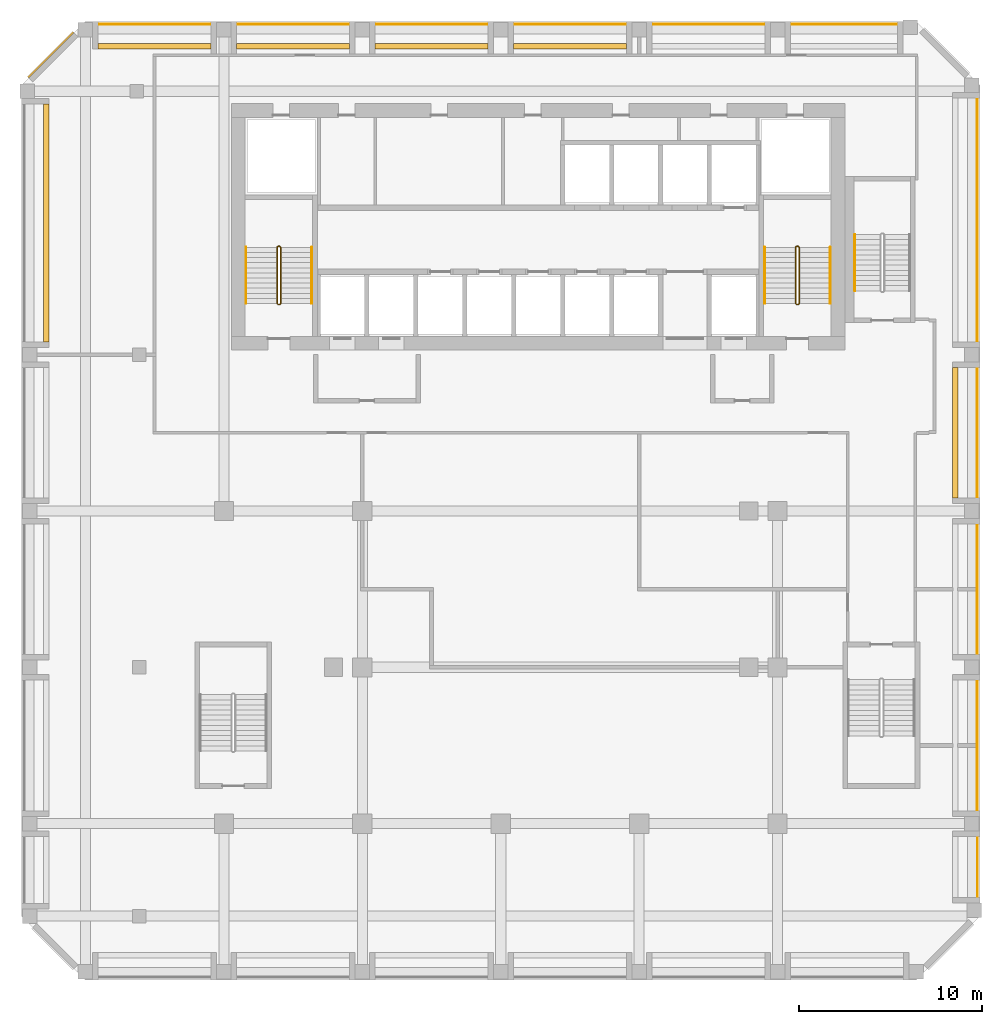
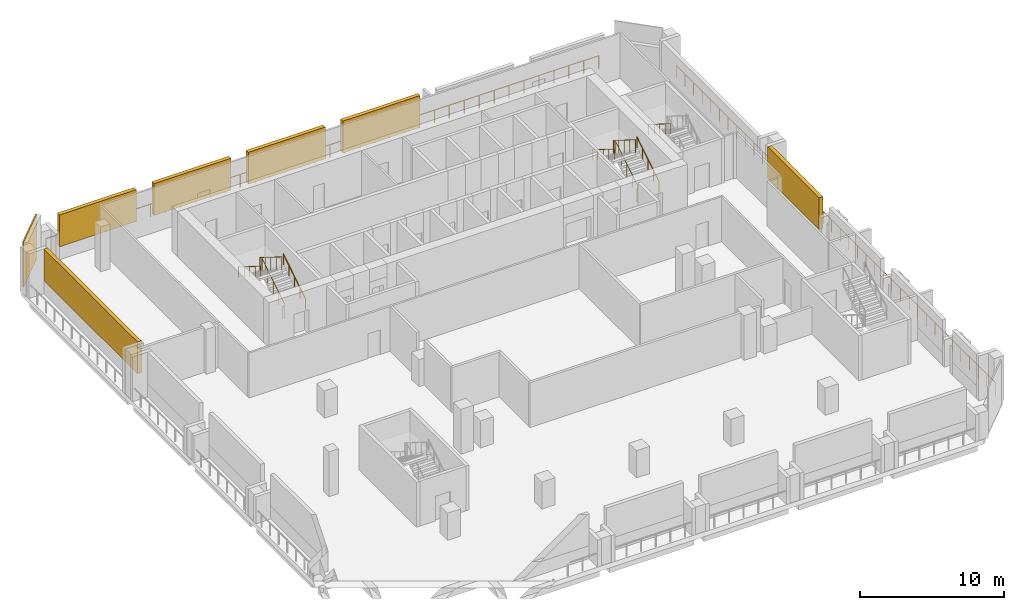
# One storey, part 8 of 9: 9 railings, 7 shading devices.
"""IFC4 building model written with IfcOpenShell, lengths in metres."""

from ifc_helpers import new_model, si_unit, direction, frame, origin, origin_2d, place, context, subcontext, project, spatial, rectangle, circle, extrude, source, transform, mapped, material, layer, layer_set, type_object, element, save


model = new_model("IFC4")

# Units and contexts
model_context = context("Model", 3, precision=1e-05, world=origin(), true_north=direction((0.0, 1.0)))
body_context = subcontext(model_context, "Body", "Model", "MODEL_VIEW")
ifc_project = project(units=[si_unit("LENGTHUNIT", "METRE"), si_unit("AREAUNIT", "SQUARE_METRE"), si_unit("VOLUMEUNIT", "CUBIC_METRE"), si_unit("PLANEANGLEUNIT", "RADIAN"), si_unit("MASSUNIT", "GRAM", prefix="KILO")], contexts=[model_context])

# Site, building, storey
site_placement = place(None, origin())
site = spatial("IfcSite", under=ifc_project, at=site_placement, CompositionType="ELEMENT")
building_placement = place(site_placement, origin())
building = spatial("IfcBuilding", under=site, at=building_placement, Name="Kilnfold Tower and Market Hall", CompositionType="ELEMENT")
storey_placement = place(building_placement, frame((0.0, 0.0, 195.699951171875)))
storey = spatial("IfcBuildingStorey", under=building, at=storey_placement, Name="L47 Plant Transfer Level", CompositionType="ELEMENT", Elevation=195.699951171875)

# Railings
ifc_material_1 = material(Name="Stainless steel 316", Category="steel")
railing_type_1 = type_object("IfcRailingType", Name="CORE STAIR GUARD 1100", PredefinedType="GUARDRAIL", material=ifc_material_1)
railing_1_placement = place(storey_placement, frame((-13.199951171875, 10.75, 0.0)))
element("IfcRailing", 1, at=railing_1_placement, inside=storey, type_object=railing_type_1, Name="L47 Plant Transfer Level ST1 stair guard 1", PredefinedType="GUARDRAIL", context=body_context, shape_type="SweptSolid", body=[
    extrude(circle(Radius=0.02392578125, at=origin_2d()), frame((0.0, 0.0, 1.076171875), z_axis=(1.0, 0.0, 0.0), x_axis=(0.0, 1.0, 0.0)), (0.0, 0.0, 1.0), 0.099853515625),
    extrude(circle(Radius=0.02392578125, at=origin_2d()), frame((0.099853515625, 0.0, 1.076171875), z_axis=(0.265065253269, 0.265065253269, 0.927081885822), x_axis=(-0.707106781187, 0.707106781187, 0.0)), (0.0, 0.0, 1.0), 0.188720703125),
    extrude(circle(Radius=0.02392578125, at=origin_2d()), frame((0.14990234375, 0.050048828125, 1.2509765625), z_axis=(0.0, 0.847979421464, 0.530029150871), x_axis=(-1.0, 0.0, 0.0)), (0.0, 0.0, 1.0), 3.632080078125),
    extrude(circle(Radius=0.02392578125, at=origin_2d()), frame((0.14990234375, 3.1298828125, 3.17626953125), z_axis=(-0.707106781187, 0.707106781187, 0.0), x_axis=(-0.707106781187, -0.707106781187, 0.0)), (0.0, 0.0, 1.0), 0.07080078125),
    extrude(circle(Radius=0.02392578125, at=origin_2d()), frame((0.099853515625, 3.179931640625, 3.17626953125), z_axis=(-1.0, 0.0, 0.0), x_axis=(0.0, -1.0, 0.0)), (0.0, 0.0, 1.0), 0.099853515625),
    extrude(circle(Radius=0.02392578125, at=origin_2d()), frame((0.0, 3.179931640625, 3.17626953125), z_axis=(-0.265065253269, -0.265065253269, 0.927081885822), x_axis=(0.707106781187, -0.707106781187, 0.0)), (0.0, 0.0, 1.0), 0.188720703125),
    extrude(circle(Radius=0.02392578125, at=origin_2d()), frame((-0.050048828125, 3.1298828125, 3.35107421875), z_axis=(0.0, -0.848009633417, 0.529980812513), x_axis=(1.0, 0.0, 0.0)), (0.0, 0.0, 1.0), 3.6318359375),
    extrude(circle(Radius=0.02099609375, at=origin_2d()), origin(), (0.0, 0.0, 1.0), 1.052001953125),
    extrude(circle(Radius=0.02099609375, at=origin_2d()), frame((0.099853515625, 0.0, 0.0)), (0.0, 0.0, 1.0), 1.052001953125),
    extrude(circle(Radius=0.02099609375, at=origin_2d()), frame((0.14990234375, 0.050048828125, 0.175048828125)), (0.0, 0.0, 1.0), 1.052001953125),
    extrude(circle(Radius=0.02099609375, at=origin_2d()), frame((0.14990234375, 0.820068359375, 0.65625)), (0.0, 0.0, 1.0), 1.052001953125),
    extrude(circle(Radius=0.02099609375, at=origin_2d()), frame((0.14990234375, 1.58984375, 1.1376953125)), (0.0, 0.0, 1.0), 1.052001953125),
    extrude(circle(Radius=0.02099609375, at=origin_2d()), frame((0.14990234375, 2.35986328125, 1.618896484375)), (0.0, 0.0, 1.0), 1.052001953125),
    extrude(circle(Radius=0.02099609375, at=origin_2d()), frame((0.14990234375, 3.1298828125, 2.10009765625)), (0.0, 0.0, 1.0), 1.052001953125),
    extrude(circle(Radius=0.02099609375, at=origin_2d()), frame((0.099853515625, 3.179931640625, 2.10009765625)), (0.0, 0.0, 1.0), 1.052001953125),
    extrude(circle(Radius=0.02099609375, at=origin_2d()), frame((0.0, 3.179931640625, 2.10009765625)), (0.0, 0.0, 1.0), 1.052001953125),
    extrude(circle(Radius=0.02099609375, at=origin_2d()), frame((-0.050048828125, 3.1298828125, 2.275146484375)), (0.0, 0.0, 1.0), 1.052001953125),
    extrude(circle(Radius=0.02099609375, at=origin_2d()), frame((-0.050048828125, 2.35986328125, 2.75634765625)), (0.0, 0.0, 1.0), 1.052001953125),
    extrude(circle(Radius=0.02099609375, at=origin_2d()), frame((-0.050048828125, 1.58984375, 3.237548828125)), (0.0, 0.0, 1.0), 1.052001953125),
    extrude(circle(Radius=0.02099609375, at=origin_2d()), frame((-0.050048828125, 0.820068359375, 3.71875)), (0.0, 0.0, 1.0), 1.052001953125),
    extrude(circle(Radius=0.02099609375, at=origin_2d()), frame((-0.050048828125, 0.050048828125, 4.199951171875)), (0.0, 0.0, 1.0), 1.052001953125),
])
railing_2_placement = place(storey_placement, frame((15.199951171875, 10.75, 0.0)))
element("IfcRailing", 2, at=railing_2_placement, inside=storey, type_object=railing_type_1, Name="L47 Plant Transfer Level ST2 stair guard 1", PredefinedType="GUARDRAIL", context=body_context, shape_type="SweptSolid", body=[
    extrude(circle(Radius=0.02392578125, at=origin_2d()), frame((0.0, 0.0, 1.076171875), z_axis=(1.0, 0.0, 0.0), x_axis=(0.0, 1.0, 0.0)), (0.0, 0.0, 1.0), 0.10009765625),
    extrude(circle(Radius=0.02392578125, at=origin_2d()), frame((0.10009765625, 0.0, 1.076171875), z_axis=(0.265065253269, 0.265065253269, 0.927081885822), x_axis=(-0.707106781187, 0.707106781187, 0.0)), (0.0, 0.0, 1.0), 0.188720703125),
    extrude(circle(Radius=0.02392578125, at=origin_2d()), frame((0.150146484375, 0.050048828125, 1.2509765625), z_axis=(0.0, 0.847979421464, 0.530029150871), x_axis=(-1.0, 0.0, 0.0)), (0.0, 0.0, 1.0), 3.632080078125),
    extrude(circle(Radius=0.02392578125, at=origin_2d()), frame((0.150146484375, 3.1298828125, 3.17626953125), z_axis=(-0.707106781187, 0.707106781187, 0.0), x_axis=(-0.707106781187, -0.707106781187, 0.0)), (0.0, 0.0, 1.0), 0.07080078125),
    extrude(circle(Radius=0.02392578125, at=origin_2d()), frame((0.10009765625, 3.179931640625, 3.17626953125), z_axis=(-1.0, 0.0, 0.0), x_axis=(0.0, -1.0, 0.0)), (0.0, 0.0, 1.0), 0.10009765625),
    extrude(circle(Radius=0.02392578125, at=origin_2d()), frame((0.0, 3.179931640625, 3.17626953125), z_axis=(-0.265065253269, -0.265065253269, 0.927081885822), x_axis=(0.707106781187, -0.707106781187, 0.0)), (0.0, 0.0, 1.0), 0.188720703125),
    extrude(circle(Radius=0.02392578125, at=origin_2d()), frame((-0.050048828125, 3.1298828125, 3.35107421875), z_axis=(0.0, -0.848009633417, 0.529980812513), x_axis=(1.0, 0.0, 0.0)), (0.0, 0.0, 1.0), 3.6318359375),
    extrude(circle(Radius=0.02099609375, at=origin_2d()), origin(), (0.0, 0.0, 1.0), 1.052001953125),
    extrude(circle(Radius=0.02099609375, at=origin_2d()), frame((0.10009765625, 0.0, 0.0)), (0.0, 0.0, 1.0), 1.052001953125),
    extrude(circle(Radius=0.02099609375, at=origin_2d()), frame((0.150146484375, 0.050048828125, 0.175048828125)), (0.0, 0.0, 1.0), 1.052001953125),
    extrude(circle(Radius=0.02099609375, at=origin_2d()), frame((0.150146484375, 0.820068359375, 0.65625)), (0.0, 0.0, 1.0), 1.052001953125),
    extrude(circle(Radius=0.02099609375, at=origin_2d()), frame((0.150146484375, 1.58984375, 1.1376953125)), (0.0, 0.0, 1.0), 1.052001953125),
    extrude(circle(Radius=0.02099609375, at=origin_2d()), frame((0.150146484375, 2.35986328125, 1.618896484375)), (0.0, 0.0, 1.0), 1.052001953125),
    extrude(circle(Radius=0.02099609375, at=origin_2d()), frame((0.150146484375, 3.1298828125, 2.10009765625)), (0.0, 0.0, 1.0), 1.052001953125),
    extrude(circle(Radius=0.02099609375, at=origin_2d()), frame((0.10009765625, 3.179931640625, 2.10009765625)), (0.0, 0.0, 1.0), 1.052001953125),
    extrude(circle(Radius=0.02099609375, at=origin_2d()), frame((0.0, 3.179931640625, 2.10009765625)), (0.0, 0.0, 1.0), 1.052001953125),
    extrude(circle(Radius=0.02099609375, at=origin_2d()), frame((-0.050048828125, 3.1298828125, 2.275146484375)), (0.0, 0.0, 1.0), 1.052001953125),
    extrude(circle(Radius=0.02099609375, at=origin_2d()), frame((-0.050048828125, 2.35986328125, 2.75634765625)), (0.0, 0.0, 1.0), 1.052001953125),
    extrude(circle(Radius=0.02099609375, at=origin_2d()), frame((-0.050048828125, 1.58984375, 3.237548828125)), (0.0, 0.0, 1.0), 1.052001953125),
    extrude(circle(Radius=0.02099609375, at=origin_2d()), frame((-0.050048828125, 0.820068359375, 3.71875)), (0.0, 0.0, 1.0), 1.052001953125),
    extrude(circle(Radius=0.02099609375, at=origin_2d()), frame((-0.050048828125, 0.050048828125, 4.199951171875)), (0.0, 0.0, 1.0), 1.052001953125),
])
ifc_material_2 = material(Name="Stainless steel 316", Category="steel")
railing_type_2 = type_object("IfcRailingType", Name="CORE STAIR HANDRAIL 900", PredefinedType="HANDRAIL", material=ifc_material_2)
railing_3_placement = place(storey_placement, frame((-11.35009765625, 10.800048828125, 0.175048828125)))
element("IfcRailing", 3, at=railing_3_placement, inside=storey, type_object=railing_type_2, Name="L47 Plant Transfer Level ST1 stair handrail 1", PredefinedType="HANDRAIL", context=body_context, shape_type="SweptSolid", body=[
    extrude(circle(Radius=0.02392578125, at=origin_2d()), frame((0.0, 0.0, 0.8759765625), z_axis=(0.0, 0.847979421464, 0.530029150871), x_axis=(-1.0, 0.0, 0.0)), (0.0, 0.0, 1.0), 3.632080078125),
    extrude(circle(Radius=0.02099609375, at=origin_2d()), origin(), (0.0, 0.0, 1.0), 0.851806640625),
    extrude(circle(Radius=0.02099609375, at=origin_2d()), frame((0.0, 0.77001953125, 0.481201171875)), (0.0, 0.0, 1.0), 0.851806640625),
    extrude(circle(Radius=0.02099609375, at=origin_2d()), frame((0.0, 1.5400390625, 0.96240234375)), (0.0, 0.0, 1.0), 0.851806640625),
    extrude(circle(Radius=0.02099609375, at=origin_2d()), frame((0.0, 2.309814453125, 1.44384765625)), (0.0, 0.0, 1.0), 0.851806640625),
    extrude(circle(Radius=0.02099609375, at=origin_2d()), frame((0.0, 3.079833984375, 1.925048828125)), (0.0, 0.0, 1.0), 0.851806640625),
])
railing_4_placement = place(storey_placement, frame((-14.949951171875, 13.8798828125, 2.275146484375)))
element("IfcRailing", 4, at=railing_4_placement, inside=storey, type_object=railing_type_2, Name="L47 Plant Transfer Level ST1 stair handrail 2", PredefinedType="HANDRAIL", context=body_context, shape_type="SweptSolid", body=[
    extrude(circle(Radius=0.02392578125, at=origin_2d()), frame((0.0, 0.0, 0.8759765625), z_axis=(0.0, -0.848009633417, 0.529980812513), x_axis=(1.0, 0.0, 0.0)), (0.0, 0.0, 1.0), 3.6318359375),
    extrude(circle(Radius=0.02099609375, at=origin_2d()), origin(), (0.0, 0.0, 1.0), 0.851806640625),
    extrude(circle(Radius=0.02099609375, at=origin_2d()), frame((0.0, -0.77001953125, 0.481201171875)), (0.0, 0.0, 1.0), 0.851806640625),
    extrude(circle(Radius=0.02099609375, at=origin_2d()), frame((0.0, -1.5400390625, 0.96240234375)), (0.0, 0.0, 1.0), 0.851806640625),
    extrude(circle(Radius=0.02099609375, at=origin_2d()), frame((0.0, -2.309814453125, 1.443603515625)), (0.0, 0.0, 1.0), 0.851806640625),
    extrude(circle(Radius=0.02099609375, at=origin_2d()), frame((0.0, -3.079833984375, 1.9248046875)), (0.0, 0.0, 1.0), 0.851806640625),
])
railing_5_placement = place(storey_placement, frame((17.050048828125, 10.800048828125, 0.175048828125)))
element("IfcRailing", 5, at=railing_5_placement, inside=storey, type_object=railing_type_2, Name="L47 Plant Transfer Level ST2 stair handrail 1", PredefinedType="HANDRAIL", context=body_context, shape_type="SweptSolid", body=[
    extrude(circle(Radius=0.02392578125, at=origin_2d()), frame((0.0, 0.0, 0.8759765625), z_axis=(0.0, 0.847979421464, 0.530029150871), x_axis=(-1.0, 0.0, 0.0)), (0.0, 0.0, 1.0), 3.632080078125),
    extrude(circle(Radius=0.02099609375, at=origin_2d()), origin(), (0.0, 0.0, 1.0), 0.851806640625),
    extrude(circle(Radius=0.02099609375, at=origin_2d()), frame((0.0, 0.77001953125, 0.481201171875)), (0.0, 0.0, 1.0), 0.851806640625),
    extrude(circle(Radius=0.02099609375, at=origin_2d()), frame((0.0, 1.5400390625, 0.96240234375)), (0.0, 0.0, 1.0), 0.851806640625),
    extrude(circle(Radius=0.02099609375, at=origin_2d()), frame((0.0, 2.309814453125, 1.44384765625)), (0.0, 0.0, 1.0), 0.851806640625),
    extrude(circle(Radius=0.02099609375, at=origin_2d()), frame((0.0, 3.079833984375, 1.925048828125)), (0.0, 0.0, 1.0), 0.851806640625),
])
railing_6_placement = place(storey_placement, frame((13.449951171875, 13.8798828125, 2.275146484375)))
element("IfcRailing", 6, at=railing_6_placement, inside=storey, type_object=railing_type_2, Name="L47 Plant Transfer Level ST2 stair handrail 2", PredefinedType="HANDRAIL", context=body_context, shape_type="SweptSolid", body=[
    extrude(circle(Radius=0.02392578125, at=origin_2d()), frame((0.0, 0.0, 0.8759765625), z_axis=(0.0, -0.848009633417, 0.529980812513), x_axis=(1.0, 0.0, 0.0)), (0.0, 0.0, 1.0), 3.6318359375),
    extrude(circle(Radius=0.02099609375, at=origin_2d()), origin(), (0.0, 0.0, 1.0), 0.851806640625),
    extrude(circle(Radius=0.02099609375, at=origin_2d()), frame((0.0, -0.77001953125, 0.481201171875)), (0.0, 0.0, 1.0), 0.851806640625),
    extrude(circle(Radius=0.02099609375, at=origin_2d()), frame((0.0, -1.5400390625, 0.96240234375)), (0.0, 0.0, 1.0), 0.851806640625),
    extrude(circle(Radius=0.02099609375, at=origin_2d()), frame((0.0, -2.309814453125, 1.443603515625)), (0.0, 0.0, 1.0), 0.851806640625),
    extrude(circle(Radius=0.02099609375, at=origin_2d()), frame((0.0, -3.079833984375, 1.9248046875)), (0.0, 0.0, 1.0), 0.851806640625),
])
railing_7_placement = place(storey_placement, frame((18.39990234375, 14.580078125, 2.275146484375)))
element("IfcRailing", 7, at=railing_7_placement, inside=storey, type_object=railing_type_2, Name="L47 Plant Transfer Level ST5 stair handrail 2", PredefinedType="HANDRAIL", context=body_context, shape_type="SweptSolid", body=[
    extrude(circle(Radius=0.02392578125, at=origin_2d()), frame((0.0, 0.0, 0.8759765625), z_axis=(0.0, -0.848028513186, 0.529950602248), x_axis=(1.0, 0.0, 0.0)), (0.0, 0.0, 1.0), 3.632080078125),
    extrude(circle(Radius=0.02099609375, at=origin_2d()), origin(), (0.0, 0.0, 1.0), 0.851806640625),
    extrude(circle(Radius=0.02099609375, at=origin_2d()), frame((0.0, -0.77001953125, 0.481201171875)), (0.0, 0.0, 1.0), 0.851806640625),
    extrude(circle(Radius=0.02099609375, at=origin_2d()), frame((0.0, -1.5400390625, 0.96240234375)), (0.0, 0.0, 1.0), 0.851806640625),
    extrude(circle(Radius=0.02099609375, at=origin_2d()), frame((0.0, -2.31005859375, 1.443603515625)), (0.0, 0.0, 1.0), 0.851806640625),
    extrude(circle(Radius=0.02099609375, at=origin_2d()), frame((0.0, -3.080078125, 1.9248046875)), (0.0, 0.0, 1.0), 0.851806640625),
])
ifc_material_3 = material(Name="Stainless steel and laminated glass", Category="steel")
railing_type_3 = type_object("IfcRailingType", Name="GUARD 1100", PredefinedType="GUARDRAIL", material=ifc_material_3)
railing_8_placement = place(storey_placement, frame((25.10009765625, -22.03173828125, 0.0)))
element("IfcRailing", 8, at=railing_8_placement, inside=storey, type_object=railing_type_3, Name="Guard plant edge E L47", PredefinedType="GUARDRAIL", context=body_context, shape_type="SweptSolid", body=[
    extrude(circle(Radius=0.02490234375, at=origin_2d()), frame((0.0, 0.0, 1.0751953125), z_axis=(0.0, 1.0, 0.0), x_axis=(-1.0, 0.0, 0.0)), (0.0, 0.0, 1.0), 44.3818359375),
    extrude(circle(Radius=0.02490234375, at=origin_2d()), origin(), (0.0, 0.0, 1.0), 1.050048828125),
    extrude(circle(Radius=0.02490234375, at=origin_2d()), frame((0.0, 1.199462890625, 0.0)), (0.0, 0.0, 1.0), 1.050048828125),
    extrude(circle(Radius=0.02490234375, at=origin_2d()), frame((0.0, 2.39892578125, 0.0)), (0.0, 0.0, 1.0), 1.050048828125),
    extrude(circle(Radius=0.02490234375, at=origin_2d()), frame((0.0, 3.5986328125, 0.0)), (0.0, 0.0, 1.0), 1.050048828125),
    extrude(circle(Radius=0.02490234375, at=origin_2d()), frame((0.0, 4.798095703125, 0.0)), (0.0, 0.0, 1.0), 1.050048828125),
    extrude(circle(Radius=0.02490234375, at=origin_2d()), frame((0.0, 5.99755859375, 0.0)), (0.0, 0.0, 1.0), 1.050048828125),
    extrude(circle(Radius=0.02490234375, at=origin_2d()), frame((0.0, 7.197021484375, 0.0)), (0.0, 0.0, 1.0), 1.050048828125),
    extrude(circle(Radius=0.02490234375, at=origin_2d()), frame((0.0, 8.396484375, 0.0)), (0.0, 0.0, 1.0), 1.050048828125),
    extrude(circle(Radius=0.02490234375, at=origin_2d()), frame((0.0, 9.59619140625, 0.0)), (0.0, 0.0, 1.0), 1.050048828125),
    extrude(circle(Radius=0.02490234375, at=origin_2d()), frame((0.0, 10.795654296875, 0.0)), (0.0, 0.0, 1.0), 1.050048828125),
    extrude(circle(Radius=0.02490234375, at=origin_2d()), frame((0.0, 11.9951171875, 0.0)), (0.0, 0.0, 1.0), 1.050048828125),
    extrude(circle(Radius=0.02490234375, at=origin_2d()), frame((0.0, 13.194580078125, 0.0)), (0.0, 0.0, 1.0), 1.050048828125),
    extrude(circle(Radius=0.02490234375, at=origin_2d()), frame((0.0, 14.39404296875, 0.0)), (0.0, 0.0, 1.0), 1.050048828125),
    extrude(circle(Radius=0.02490234375, at=origin_2d()), frame((0.0, 15.593505859375, 0.0)), (0.0, 0.0, 1.0), 1.050048828125),
    extrude(circle(Radius=0.02490234375, at=origin_2d()), frame((0.0, 16.793212890625, 0.0)), (0.0, 0.0, 1.0), 1.050048828125),
    extrude(circle(Radius=0.02490234375, at=origin_2d()), frame((0.0, 17.99267578125, 0.0)), (0.0, 0.0, 1.0), 1.050048828125),
    extrude(circle(Radius=0.02490234375, at=origin_2d()), frame((0.0, 19.192138671875, 0.0)), (0.0, 0.0, 1.0), 1.050048828125),
    extrude(circle(Radius=0.02490234375, at=origin_2d()), frame((0.0, 20.3916015625, 0.0)), (0.0, 0.0, 1.0), 1.050048828125),
    extrude(circle(Radius=0.02490234375, at=origin_2d()), frame((0.0, 21.591064453125, 0.0)), (0.0, 0.0, 1.0), 1.050048828125),
    extrude(circle(Radius=0.02490234375, at=origin_2d()), frame((0.0, 22.790771484375, 0.0)), (0.0, 0.0, 1.0), 1.050048828125),
    extrude(circle(Radius=0.02490234375, at=origin_2d()), frame((0.0, 23.990234375, 0.0)), (0.0, 0.0, 1.0), 1.050048828125),
    extrude(circle(Radius=0.02490234375, at=origin_2d()), frame((0.0, 25.189697265625, 0.0)), (0.0, 0.0, 1.0), 1.050048828125),
    extrude(circle(Radius=0.02490234375, at=origin_2d()), frame((0.0, 26.38916015625, 0.0)), (0.0, 0.0, 1.0), 1.050048828125),
    extrude(circle(Radius=0.02490234375, at=origin_2d()), frame((0.0, 27.588623046875, 0.0)), (0.0, 0.0, 1.0), 1.050048828125),
    extrude(circle(Radius=0.02490234375, at=origin_2d()), frame((0.0, 28.788330078125, 0.0)), (0.0, 0.0, 1.0), 1.050048828125),
    extrude(circle(Radius=0.02490234375, at=origin_2d()), frame((0.0, 29.98779296875, 0.0)), (0.0, 0.0, 1.0), 1.050048828125),
    extrude(circle(Radius=0.02490234375, at=origin_2d()), frame((0.0, 31.187255859375, 0.0)), (0.0, 0.0, 1.0), 1.050048828125),
    extrude(circle(Radius=0.02490234375, at=origin_2d()), frame((0.0, 32.38671875, 0.0)), (0.0, 0.0, 1.0), 1.050048828125),
    extrude(circle(Radius=0.02490234375, at=origin_2d()), frame((0.0, 33.586181640625, 0.0)), (0.0, 0.0, 1.0), 1.050048828125),
    extrude(circle(Radius=0.02490234375, at=origin_2d()), frame((0.0, 34.78564453125, 0.0)), (0.0, 0.0, 1.0), 1.050048828125),
    extrude(circle(Radius=0.02490234375, at=origin_2d()), frame((0.0, 35.9853515625, 0.0)), (0.0, 0.0, 1.0), 1.050048828125),
    extrude(circle(Radius=0.02490234375, at=origin_2d()), frame((0.0, 37.184814453125, 0.0)), (0.0, 0.0, 1.0), 1.050048828125),
    extrude(circle(Radius=0.02490234375, at=origin_2d()), frame((0.0, 38.38427734375, 0.0)), (0.0, 0.0, 1.0), 1.050048828125),
    extrude(circle(Radius=0.02490234375, at=origin_2d()), frame((0.0, 39.583740234375, 0.0)), (0.0, 0.0, 1.0), 1.050048828125),
    extrude(circle(Radius=0.02490234375, at=origin_2d()), frame((0.0, 40.783203125, 0.0)), (0.0, 0.0, 1.0), 1.050048828125),
    extrude(circle(Radius=0.02490234375, at=origin_2d()), frame((0.0, 41.98291015625, 0.0)), (0.0, 0.0, 1.0), 1.050048828125),
    extrude(circle(Radius=0.02490234375, at=origin_2d()), frame((0.0, 43.182373046875, 0.0)), (0.0, 0.0, 1.0), 1.050048828125),
    extrude(circle(Radius=0.02490234375, at=origin_2d()), frame((0.0, 44.3818359375, 0.0)), (0.0, 0.0, 1.0), 1.050048828125),
])
railing_9_placement = place(storey_placement, frame((21.03173828125, 26.10009765625, 0.0)))
element("IfcRailing", 9, at=railing_9_placement, inside=storey, type_object=railing_type_3, Name="Guard plant edge N L47", PredefinedType="GUARDRAIL", context=body_context, shape_type="SweptSolid", body=[
    extrude(circle(Radius=0.02490234375, at=origin_2d()), frame((0.0, 0.0, 1.0751953125), z_axis=(-1.0, 0.0, 0.0), x_axis=(0.0, -1.0, 0.0)), (0.0, 0.0, 1.0), 44.3818359375),
    extrude(circle(Radius=0.02490234375, at=origin_2d()), origin(), (0.0, 0.0, 1.0), 1.050048828125),
    extrude(circle(Radius=0.02490234375, at=origin_2d()), frame((-1.199462890625, 0.0, 0.0)), (0.0, 0.0, 1.0), 1.050048828125),
    extrude(circle(Radius=0.02490234375, at=origin_2d()), frame((-2.39892578125, 0.0, 0.0)), (0.0, 0.0, 1.0), 1.050048828125),
    extrude(circle(Radius=0.02490234375, at=origin_2d()), frame((-3.5986328125, 0.0, 0.0)), (0.0, 0.0, 1.0), 1.050048828125),
    extrude(circle(Radius=0.02490234375, at=origin_2d()), frame((-4.798095703125, 0.0, 0.0)), (0.0, 0.0, 1.0), 1.050048828125),
    extrude(circle(Radius=0.02490234375, at=origin_2d()), frame((-5.99755859375, 0.0, 0.0)), (0.0, 0.0, 1.0), 1.050048828125),
    extrude(circle(Radius=0.02490234375, at=origin_2d()), frame((-7.197021484375, 0.0, 0.0)), (0.0, 0.0, 1.0), 1.050048828125),
    extrude(circle(Radius=0.02490234375, at=origin_2d()), frame((-8.396484375, 0.0, 0.0)), (0.0, 0.0, 1.0), 1.050048828125),
    extrude(circle(Radius=0.02490234375, at=origin_2d()), frame((-9.59619140625, 0.0, 0.0)), (0.0, 0.0, 1.0), 1.050048828125),
    extrude(circle(Radius=0.02490234375, at=origin_2d()), frame((-10.795654296875, 0.0, 0.0)), (0.0, 0.0, 1.0), 1.050048828125),
    extrude(circle(Radius=0.02490234375, at=origin_2d()), frame((-11.9951171875, 0.0, 0.0)), (0.0, 0.0, 1.0), 1.050048828125),
    extrude(circle(Radius=0.02490234375, at=origin_2d()), frame((-13.194580078125, 0.0, 0.0)), (0.0, 0.0, 1.0), 1.050048828125),
    extrude(circle(Radius=0.02490234375, at=origin_2d()), frame((-14.39404296875, 0.0, 0.0)), (0.0, 0.0, 1.0), 1.050048828125),
    extrude(circle(Radius=0.02490234375, at=origin_2d()), frame((-15.593505859375, 0.0, 0.0)), (0.0, 0.0, 1.0), 1.050048828125),
    extrude(circle(Radius=0.02490234375, at=origin_2d()), frame((-16.793212890625, 0.0, 0.0)), (0.0, 0.0, 1.0), 1.050048828125),
    extrude(circle(Radius=0.02490234375, at=origin_2d()), frame((-17.99267578125, 0.0, 0.0)), (0.0, 0.0, 1.0), 1.050048828125),
    extrude(circle(Radius=0.02490234375, at=origin_2d()), frame((-19.192138671875, 0.0, 0.0)), (0.0, 0.0, 1.0), 1.050048828125),
    extrude(circle(Radius=0.02490234375, at=origin_2d()), frame((-20.3916015625, 0.0, 0.0)), (0.0, 0.0, 1.0), 1.050048828125),
    extrude(circle(Radius=0.02490234375, at=origin_2d()), frame((-21.591064453125, 0.0, 0.0)), (0.0, 0.0, 1.0), 1.050048828125),
    extrude(circle(Radius=0.02490234375, at=origin_2d()), frame((-22.790771484375, 0.0, 0.0)), (0.0, 0.0, 1.0), 1.050048828125),
    extrude(circle(Radius=0.02490234375, at=origin_2d()), frame((-23.990234375, 0.0, 0.0)), (0.0, 0.0, 1.0), 1.050048828125),
    extrude(circle(Radius=0.02490234375, at=origin_2d()), frame((-25.189697265625, 0.0, 0.0)), (0.0, 0.0, 1.0), 1.050048828125),
    extrude(circle(Radius=0.02490234375, at=origin_2d()), frame((-26.38916015625, 0.0, 0.0)), (0.0, 0.0, 1.0), 1.050048828125),
    extrude(circle(Radius=0.02490234375, at=origin_2d()), frame((-27.588623046875, 0.0, 0.0)), (0.0, 0.0, 1.0), 1.050048828125),
    extrude(circle(Radius=0.02490234375, at=origin_2d()), frame((-28.788330078125, 0.0, 0.0)), (0.0, 0.0, 1.0), 1.050048828125),
    extrude(circle(Radius=0.02490234375, at=origin_2d()), frame((-29.98779296875, 0.0, 0.0)), (0.0, 0.0, 1.0), 1.050048828125),
    extrude(circle(Radius=0.02490234375, at=origin_2d()), frame((-31.187255859375, 0.0, 0.0)), (0.0, 0.0, 1.0), 1.050048828125),
    extrude(circle(Radius=0.02490234375, at=origin_2d()), frame((-32.38671875, 0.0, 0.0)), (0.0, 0.0, 1.0), 1.050048828125),
    extrude(circle(Radius=0.02490234375, at=origin_2d()), frame((-33.586181640625, 0.0, 0.0)), (0.0, 0.0, 1.0), 1.050048828125),
    extrude(circle(Radius=0.02490234375, at=origin_2d()), frame((-34.78564453125, 0.0, 0.0)), (0.0, 0.0, 1.0), 1.050048828125),
    extrude(circle(Radius=0.02490234375, at=origin_2d()), frame((-35.9853515625, 0.0, 0.0)), (0.0, 0.0, 1.0), 1.050048828125),
    extrude(circle(Radius=0.02490234375, at=origin_2d()), frame((-37.184814453125, 0.0, 0.0)), (0.0, 0.0, 1.0), 1.050048828125),
    extrude(circle(Radius=0.02490234375, at=origin_2d()), frame((-38.38427734375, 0.0, 0.0)), (0.0, 0.0, 1.0), 1.050048828125),
    extrude(circle(Radius=0.02490234375, at=origin_2d()), frame((-39.583740234375, 0.0, 0.0)), (0.0, 0.0, 1.0), 1.050048828125),
    extrude(circle(Radius=0.02490234375, at=origin_2d()), frame((-40.783203125, 0.0, 0.0)), (0.0, 0.0, 1.0), 1.050048828125),
    extrude(circle(Radius=0.02490234375, at=origin_2d()), frame((-41.98291015625, 0.0, 0.0)), (0.0, 0.0, 1.0), 1.050048828125),
    extrude(circle(Radius=0.02490234375, at=origin_2d()), frame((-43.182373046875, 0.0, 0.0)), (0.0, 0.0, 1.0), 1.050048828125),
    extrude(circle(Radius=0.02490234375, at=origin_2d()), frame((-44.3818359375, 0.0, 0.0)), (0.0, 0.0, 1.0), 1.050048828125),
])

# Shading devices
ifc_material_4 = material(Name="Anodised aluminium", Category="aluminium")
shading_device_type_1 = type_object("IfcShadingDeviceType", Name="LOUVRE", PredefinedType="JALOUSIE", material=ifc_material_4)
shared_shape_1 = source(origin(), body_context, "Body", "SweptSolid", [
    extrude(rectangle(XDim=6.183349609375, YDim=0.300048828125, at=origin_2d()), origin(), (0.0, 0.0, 1.0), 2.699951171875),
])
for number, where, z_axis, x_axis, name in (
    (10, (2.79150390625, 24.89990234375, 1.10009765625), (0.0, 0.0, 1.0), (-1.0, 0.0, 0.0), "Plant louvre L47 N"),
    (11, (-4.79150390625, 24.89990234375, 1.10009765625), (0.0, 0.0, 1.0), (-1.0, 0.0, 0.0), "Plant louvre L47 N"),
    (12, (-12.375, 24.89990234375, 1.10009765625), (0.0, 0.0, 1.0), (-1.0, 0.0, 0.0), "Plant louvre L47 N"),
    (13, (-19.958251953125, 24.89990234375, 1.10009765625), (0.0, 0.0, 1.0), (-1.0, 0.0, 0.0), "Plant louvre L47 N"),
):
    element("IfcShadingDevice", number, at=place(storey_placement, frame(where, z_axis=z_axis, x_axis=x_axis)), inside=storey, type_object=shading_device_type_1, Name=name, ObjectType="LOUVRE", PredefinedType="JALOUSIE", context=body_context, shape_type="MappedRepresentation", body=[
        mapped(shared_shape_1, transform((0.0, 0.0, 0.0))),
    ])
ifc_material_5 = material(Name="Terracotta", Category="masonry")
ifc_layer = layer(ifc_material_5, 0.10009765625)
ifc_layer_set = layer_set([ifc_layer], Name="Terracotta")
shading_device_type_2 = type_object("IfcShadingDeviceType", Name="TERRACOTTA SCREEN 100", PredefinedType="USERDEFINED", material=ifc_layer_set)
shared_shape_2 = source(origin(), body_context, "Body", "SweptSolid", [
    extrude(rectangle(XDim=3.500244140625, YDim=0.10009765625, at=origin_2d()), origin(), (0.0, 0.0, 1.0), 3.800048828125),
])
shading_device_1_placement = place(storey_placement, frame((-25.64794921875, 24.4228515625, 0.0), z_axis=(0.0, 0.0, 1.0), x_axis=(-0.707106781187, -0.707106781187, 0.0)))
element("IfcShadingDevice", 14, at=shading_device_1_placement, inside=storey, type_object=shading_device_type_2, Name="Plant screen L47 NW", ObjectType="SCREEN", PredefinedType="USERDEFINED", context=body_context, shape_type="MappedRepresentation", body=[
    mapped(shared_shape_2, transform((0.0, 0.0, 0.0))),
])
shared_shape_3 = source(origin(), body_context, "Body", "SweptSolid", [
    extrude(rectangle(XDim=7.16259765625, YDim=0.300048828125, at=origin_2d()), origin(), (0.0, 0.0, 1.0), 2.699951171875),
])
shading_device_2_placement = place(storey_placement, frame((23.89990234375, 3.71875, 1.10009765625), z_axis=(0.0, 0.0, 1.0), x_axis=(0.0, 1.0, 0.0)))
element("IfcShadingDevice", 15, at=shading_device_2_placement, inside=storey, type_object=shading_device_type_1, Name="Plant louvre L47 E", ObjectType="LOUVRE", PredefinedType="JALOUSIE", context=body_context, shape_type="MappedRepresentation", body=[
    mapped(shared_shape_3, transform((0.0, 0.0, 0.0))),
])
shared_shape_4 = source(origin(), body_context, "Body", "SweptSolid", [
    extrude(rectangle(XDim=13.03173828125, YDim=0.300048828125, at=origin_2d()), origin(), (0.0, 0.0, 1.0), 2.699951171875),
])
shading_device_3_placement = place(storey_placement, frame((-25.89990234375, 15.2158203125, 1.10009765625), z_axis=(0.0, 0.0, 1.0), x_axis=(0.0, -1.0, 0.0)))
element("IfcShadingDevice", 16, at=shading_device_3_placement, inside=storey, type_object=shading_device_type_1, Name="Plant louvre L47 W", ObjectType="LOUVRE", PredefinedType="JALOUSIE", context=body_context, shape_type="MappedRepresentation", body=[
    mapped(shared_shape_4, transform((0.0, 0.0, 0.0))),
])

save(model, "model.ifc")
